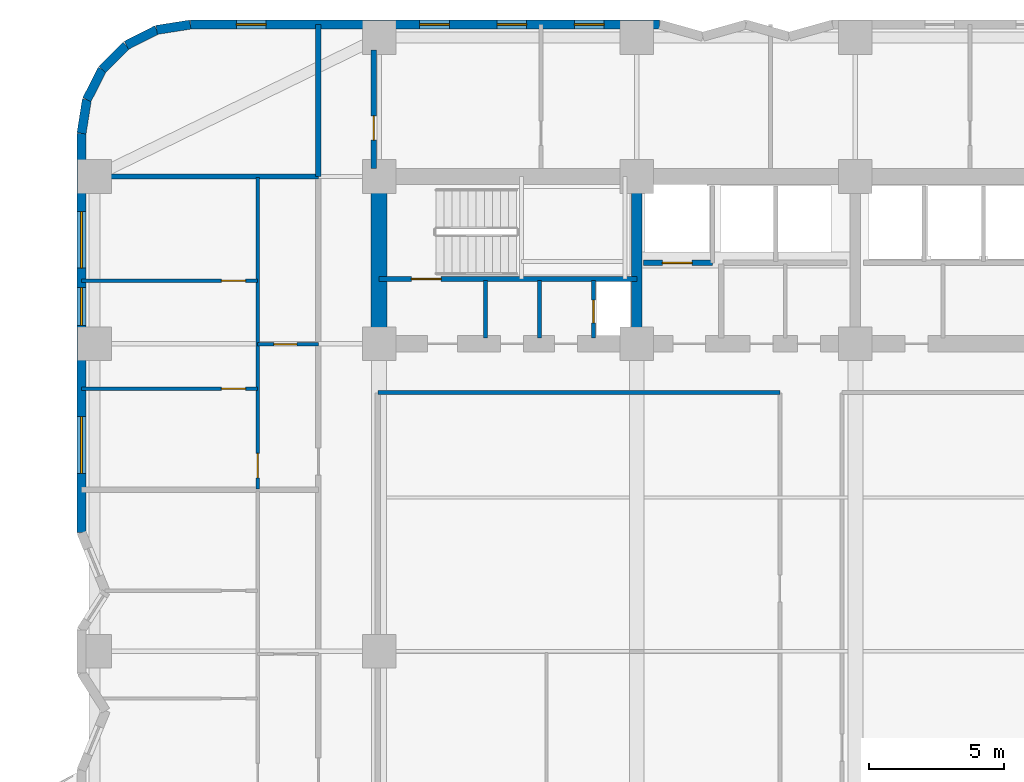
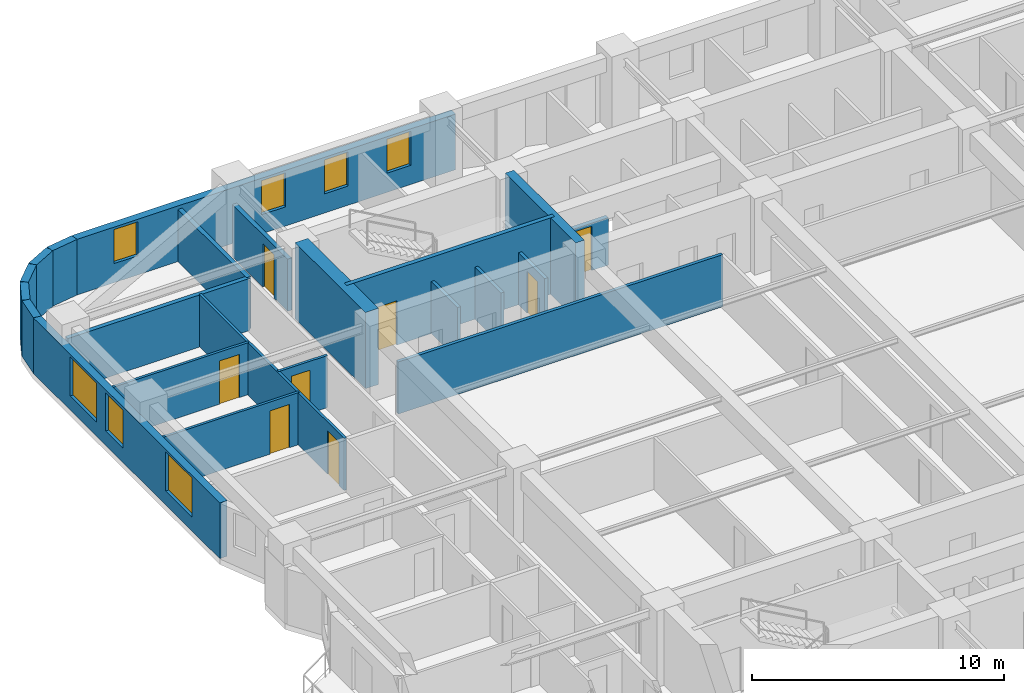
# One storey, part 6 of 10: 22 walls, 8 doors, 7 windows, 15 openings.
"""IFC4 building model written with IfcOpenShell, lengths in metres."""

from ifc_helpers import new_model, si_unit, direction, frame, frame_2d, origin, place, context, subcontext, project, spatial, rectangle, extrude, material, layer, layer_set, type_object, element, fill, save


model = new_model("IFC4")

# Units and contexts
model_context = context("Model", 3, precision=1e-05, world=origin(), true_north=direction((0.0, 1.0)))
body_context = subcontext(model_context, "Body", "Model", "MODEL_VIEW")
ifc_project = project(units=[si_unit("LENGTHUNIT", "METRE"), si_unit("AREAUNIT", "SQUARE_METRE"), si_unit("VOLUMEUNIT", "CUBIC_METRE"), si_unit("PLANEANGLEUNIT", "RADIAN"), si_unit("MASSUNIT", "GRAM", prefix="KILO")], contexts=[model_context])

# Site, building, storey
site_placement = place(None, origin())
site = spatial("IfcSite", under=ifc_project, at=site_placement, CompositionType="ELEMENT")
building_placement = place(site_placement, origin())
building = spatial("IfcBuilding", under=site, at=building_placement, Name="Svetorya Sky Lyceum", CompositionType="ELEMENT")
storey_placement = place(building_placement, frame((0.0, 0.0, 43.60009765625)))
storey = spatial("IfcBuildingStorey", under=building, at=storey_placement, Name="L10", CompositionType="ELEMENT", Elevation=43.60009765625)

# Walls
ifc_material_1 = material(Name="Concrete C40/50", Category="concrete")
ifc_layer_1 = layer(ifc_material_1, 0.39990234375)
ifc_layer_set_1 = layer_set([ifc_layer_1], Name="Concrete C40/50")
wall_type_1 = type_object("IfcWallType", Name="WL-CORE-400", PredefinedType="SHEAR", material=ifc_layer_set_1)
wall_1_placement = place(storey_placement, frame((35.14990234375, 39.89990234375, 0.0), z_axis=(0.0, 0.0, 1.0), x_axis=(0.0, 1.0, 0.0)))
element("IfcWall", 1, at=wall_1_placement, inside=storey, type_object=wall_type_1, Name="L10 NC Internal Shear Web WEB1", PredefinedType="SHEAR", context=body_context, shape_type="SweptSolid", body=[
    extrude(rectangle(XDim=5.60009765625, YDim=0.39990234375, at=frame_2d((2.800048828125, 0.0))), origin(), (0.0, 0.0, 1.0), 3.699951171875),
])
ifc_material_2 = material(Name="Concrete C60/75", Category="concrete")
ifc_layer_2 = layer(ifc_material_2, 0.60009765625)
ifc_layer_set_2 = layer_set([ifc_layer_2], Name="Concrete C60/75")
wall_type_2 = type_object("IfcWallType", Name="WL-CORE-600", PredefinedType="SHEAR", material=ifc_layer_set_2)
wall_2_placement = place(storey_placement, frame((25.60009765625, 39.89990234375, 0.0), z_axis=(0.0, 0.0, 1.0), x_axis=(0.0, 1.0, 0.0)))
element("IfcWall", 2, at=wall_2_placement, inside=storey, type_object=wall_type_2, Name="L10 NC West Core Shear Wall", PredefinedType="SHEAR", context=body_context, shape_type="SweptSolid", body=[
    extrude(rectangle(XDim=5.60009765625, YDim=0.60009765625, at=frame_2d((2.800048828125, 0.0))), origin(), (0.0, 0.0, 1.0), 3.699951171875),
])

# Wall, openings, windows
ifc_material_3 = material(Name="Putilovo limestone rainscreen on autoclaved cellular masonry", Category="masonry")
ifc_layer_3 = layer(ifc_material_3, 0.340087890625)
ifc_layer_set_3 = layer_set([ifc_layer_3], Name="Putilovo limestone rainscreen on autoclaved cellular masonry")
wall_type_3 = type_object("IfcWallType", Name="WL-EXT-340", PredefinedType="SOLIDWALL", material=ifc_layer_set_3)
wall_3_placement = place(storey_placement, frame((36.0, 51.429931640625, 0.0), z_axis=(0.0, 0.0, 1.0), x_axis=(-1.0, 0.0, 0.0)))
wall_3 = element("IfcWall", 3, at=wall_3_placement, inside=storey, type_object=wall_type_3, Name="L10 Limestone Exterior Wall 34M", PredefinedType="SOLIDWALL", context=body_context, shape_type="SweptSolid", body=[
    extrude(rectangle(XDim=17.39990234375, YDim=0.340087890625, at=frame_2d((8.699951171875, 0.0))), origin(), (0.0, 0.0, 1.0), 2.699951171875),
])
opening_1_placement = place(wall_3_placement, frame((2.06005859375, 0.0, 0.929931640625)))
opening_1 = element("IfcOpeningElement", 4, at=opening_1_placement, cuts=wall_3, Name="Opening W-R3", PredefinedType="OPENING", context=body_context, shape_type="SweptSolid", body=[
    extrude(rectangle(XDim=1.10009765625, YDim=1.64990234375, at=frame_2d((0.550048828125, 0.824951171875))), frame((0.0, 0.179931640625, 0.0), z_axis=(0.0, -1.0, 0.0), x_axis=(1.0, 0.0, 0.0)), (0.0, 0.0, 1.0), 0.360107421875),
])
opening_2_placement = place(wall_3_placement, frame((4.929931640625, 0.0, 0.929931640625)))
opening_2 = element("IfcOpeningElement", 5, at=opening_2_placement, cuts=wall_3, Name="Opening W-R3", PredefinedType="OPENING", context=body_context, shape_type="SweptSolid", body=[
    extrude(rectangle(XDim=1.10009765625, YDim=1.64990234375, at=frame_2d((0.550048828125, 0.824951171875))), frame((0.0, 0.179931640625, 0.0), z_axis=(0.0, -1.0, 0.0), x_axis=(1.0, 0.0, 0.0)), (0.0, 0.0, 1.0), 0.360107421875),
])
opening_3_placement = place(wall_3_placement, frame((7.800048828125, 0.0, 0.929931640625)))
opening_3 = element("IfcOpeningElement", 6, at=opening_3_placement, cuts=wall_3, Name="Opening W-R3", PredefinedType="OPENING", context=body_context, shape_type="SweptSolid", body=[
    extrude(rectangle(XDim=1.10009765625, YDim=1.64990234375, at=frame_2d((0.550048828125, 0.824951171875))), frame((0.0, 0.179931640625, 0.0), z_axis=(0.0, -1.0, 0.0), x_axis=(1.0, 0.0, 0.0)), (0.0, 0.0, 1.0), 0.360107421875),
])
opening_4_placement = place(wall_3_placement, frame((14.590087890625, 0.0, 0.929931640625)))
opening_4 = element("IfcOpeningElement", 7, at=opening_4_placement, cuts=wall_3, Name="Opening W-R3", PredefinedType="OPENING", context=body_context, shape_type="SweptSolid", body=[
    extrude(rectangle(XDim=1.10009765625, YDim=1.64990234375, at=frame_2d((0.550048828125, 0.824951171875))), frame((0.0, 0.179931640625, 0.0), z_axis=(0.0, -1.0, 0.0), x_axis=(1.0, 0.0, 0.0)), (0.0, 0.0, 1.0), 0.360107421875),
])
ifc_material_4 = material(Name="Thermally broken aluminium frame with triple low-E glazing", Category="aluminium")
window_type_1 = type_object("IfcWindowType", Name="WN-RES-110", PartitioningType="SINGLE_PANEL", PredefinedType="WINDOW", material=ifc_material_4)
window_1_placement = place(opening_1_placement, origin())
window_1 = element("IfcWindow", 8, at=window_1_placement, inside=storey, type_object=window_type_1, Name="L10 Facade Window W-R3.34M.1", OverallHeight=1.64990234375, OverallWidth=1.10009765625, PartitioningType="SINGLE_PANEL", PredefinedType="WINDOW", context=body_context, shape_type="SweptSolid", body=[
    extrude(rectangle(XDim=1.10009765625, YDim=1.64990234375, at=frame_2d((0.550048828125, 0.824951171875))), frame((0.0, 0.030029296875, 0.0), z_axis=(0.0, -1.0, 0.0), x_axis=(1.0, 0.0, 0.0)), (0.0, 0.0, 1.0), 0.06005859375),
])
fill(opening_1, window_1)
window_2_placement = place(opening_2_placement, origin())
window_2 = element("IfcWindow", 9, at=window_2_placement, inside=storey, type_object=window_type_1, Name="L10 Facade Window W-R3.34M.2", OverallHeight=1.64990234375, OverallWidth=1.10009765625, PartitioningType="SINGLE_PANEL", PredefinedType="WINDOW", context=body_context, shape_type="SweptSolid", body=[
    extrude(rectangle(XDim=1.10009765625, YDim=1.64990234375, at=frame_2d((0.550048828125, 0.824951171875))), frame((0.0, 0.030029296875, 0.0), z_axis=(0.0, -1.0, 0.0), x_axis=(1.0, 0.0, 0.0)), (0.0, 0.0, 1.0), 0.06005859375),
])
fill(opening_2, window_2)
window_3_placement = place(opening_3_placement, origin())
window_3 = element("IfcWindow", 10, at=window_3_placement, inside=storey, type_object=window_type_1, Name="L10 Facade Window W-R3.34M.3", OverallHeight=1.64990234375, OverallWidth=1.10009765625, PartitioningType="SINGLE_PANEL", PredefinedType="WINDOW", context=body_context, shape_type="SweptSolid", body=[
    extrude(rectangle(XDim=1.10009765625, YDim=1.64990234375, at=frame_2d((0.550048828125, 0.824951171875))), frame((0.0, 0.030029296875, 0.0), z_axis=(0.0, -1.0, 0.0), x_axis=(1.0, 0.0, 0.0)), (0.0, 0.0, 1.0), 0.06005859375),
])
fill(opening_3, window_3)
window_4_placement = place(opening_4_placement, origin())
window_4 = element("IfcWindow", 11, at=window_4_placement, inside=storey, type_object=window_type_1, Name="L10 Facade Window W-R3.34M.4", OverallHeight=1.64990234375, OverallWidth=1.10009765625, PartitioningType="SINGLE_PANEL", PredefinedType="WINDOW", context=body_context, shape_type="SweptSolid", body=[
    extrude(rectangle(XDim=1.10009765625, YDim=1.64990234375, at=frame_2d((0.550048828125, 0.824951171875))), frame((0.0, 0.030029296875, 0.0), z_axis=(0.0, -1.0, 0.0), x_axis=(1.0, 0.0, 0.0)), (0.0, 0.0, 1.0), 0.06005859375),
])
fill(opening_4, window_4)

# Walls
wall_4_placement = place(storey_placement, frame((18.60009765625, 51.429931640625, 0.0), z_axis=(0.0, 0.0, 1.0), x_axis=(-0.98771582066, -0.156260864002, 0.0)))
element("IfcWall", 12, at=wall_4_placement, inside=storey, type_object=wall_type_3, Name="L10 Limestone Exterior Wall 35M", PredefinedType="SOLIDWALL", context=body_context, shape_type="SweptSolid", body=[
    extrude(rectangle(XDim=1.2607421875, YDim=0.340087890625, at=frame_2d((0.63037109375, 0.0))), origin(), (0.0, 0.0, 1.0), 2.699951171875),
])
for number, where, z_axis, x_axis, name in (
    (13, (17.354736328125, 51.23291015625, 0.0), (0.0, 0.0, 1.0), (-0.890993689142, -0.454015689056, 0.0), "L10 Limestone Exterior Wall 36M"),
    (14, (16.231201171875, 50.660400390625, 0.0), (0.0, 0.0, 1.0), (-0.707106781187, -0.707106781187, 0.0), "L10 Limestone Exterior Wall 37M"),
    (15, (15.339599609375, 49.768798828125, 0.0), (0.0, 0.0, 1.0), (-0.454015689056, -0.890993689142, 0.0), "L10 Limestone Exterior Wall 38M"),
):
    element("IfcWall", number, at=place(storey_placement, frame(where, z_axis=z_axis, x_axis=x_axis)), inside=storey, type_object=wall_type_3, Name=name, PredefinedType="SOLIDWALL", context=body_context, shape_type="SweptSolid", body=[
        extrude(rectangle(XDim=1.260986328125, YDim=0.340087890625, at=frame_2d((0.63037109375, 0.0))), origin(), (0.0, 0.0, 1.0), 2.699951171875),
    ])
wall_5_placement = place(storey_placement, frame((14.76708984375, 48.645263671875, 0.0), z_axis=(0.0, 0.0, 1.0), x_axis=(-0.156260864002, -0.98771582066, 0.0)))
element("IfcWall", 16, at=wall_5_placement, inside=storey, type_object=wall_type_3, Name="L10 Limestone Exterior Wall 39M", PredefinedType="SOLIDWALL", context=body_context, shape_type="SweptSolid", body=[
    extrude(rectangle(XDim=1.2607421875, YDim=0.340087890625, at=frame_2d((0.63037109375, 0.0))), origin(), (0.0, 0.0, 1.0), 2.699951171875),
])

# Wall, openings, windows
wall_6_placement = place(storey_placement, frame((14.570068359375, 47.39990234375, 0.0), z_axis=(0.0, 0.0, 1.0), x_axis=(0.0, -1.0, 0.0)))
wall_6 = element("IfcWall", 17, at=wall_6_placement, inside=storey, type_object=wall_type_3, Name="L10 Limestone Exterior Wall 40M", PredefinedType="SOLIDWALL", context=body_context, shape_type="SweptSolid", body=[
    extrude(rectangle(XDim=14.7998046875, YDim=0.340087890625, at=frame_2d((7.39990234375, 0.0))), origin(), (0.0, 0.0, 1.0), 2.699951171875),
])
opening_5_placement = place(wall_6_placement, frame((2.89990234375, 0.0, 0.679931640625)))
opening_5 = element("IfcOpeningElement", 18, at=opening_5_placement, cuts=wall_6, Name="Opening W-R0", PredefinedType="OPENING", context=body_context, shape_type="SweptSolid", body=[
    extrude(rectangle(XDim=2.10009765625, YDim=1.89990234375, at=frame_2d((1.050048828125, 0.949951171875))), frame((0.0, 0.179931640625, 0.0), z_axis=(0.0, -1.0, 0.0), x_axis=(1.0, 0.0, 0.0)), (0.0, 0.0, 1.0), 0.360107421875),
])
opening_6_placement = place(wall_6_placement, frame((5.719970703125, 0.0, 0.68994140625)))
opening_6 = element("IfcOpeningElement", 19, at=opening_6_placement, cuts=wall_6, Name="Opening W-R2", PredefinedType="OPENING", context=body_context, shape_type="SweptSolid", body=[
    extrude(rectangle(XDim=1.39990234375, YDim=1.85009765625, at=frame_2d((0.699951171875, 0.925048828125))), frame((0.0, 0.179931640625, 0.0), z_axis=(0.0, -1.0, 0.0), x_axis=(1.0, 0.0, 0.0)), (0.0, 0.0, 1.0), 0.360107421875),
])
opening_7_placement = place(wall_6_placement, frame((10.5, 0.0, 0.679931640625)))
opening_7 = element("IfcOpeningElement", 20, at=opening_7_placement, cuts=wall_6, Name="Opening W-R0", PredefinedType="OPENING", context=body_context, shape_type="SweptSolid", body=[
    extrude(rectangle(XDim=2.10009765625, YDim=1.89990234375, at=frame_2d((1.050048828125, 0.949951171875))), frame((0.0, 0.179931640625, 0.0), z_axis=(0.0, -1.0, 0.0), x_axis=(1.0, 0.0, 0.0)), (0.0, 0.0, 1.0), 0.360107421875),
])
window_type_2 = type_object("IfcWindowType", Name="WN-RES-140", PartitioningType="SINGLE_PANEL", PredefinedType="WINDOW", material=ifc_material_4)
window_5_placement = place(opening_6_placement, origin())
window_5 = element("IfcWindow", 21, at=window_5_placement, inside=storey, type_object=window_type_2, Name="L10 Facade Window W-R2.40M.3", OverallHeight=1.85009765625, OverallWidth=1.39990234375, PartitioningType="SINGLE_PANEL", PredefinedType="WINDOW", context=body_context, shape_type="SweptSolid", body=[
    extrude(rectangle(XDim=1.39990234375, YDim=1.85009765625, at=frame_2d((0.699951171875, 0.925048828125))), frame((0.0, 0.030029296875, 0.0), z_axis=(0.0, -1.0, 0.0), x_axis=(1.0, 0.0, 0.0)), (0.0, 0.0, 1.0), 0.06005859375),
])
fill(opening_6, window_5)
window_type_3 = type_object("IfcWindowType", Name="WN-RES-210", PartitioningType="TRIPLE_PANEL_VERTICAL", PredefinedType="WINDOW", material=ifc_material_4)
window_6_placement = place(opening_5_placement, origin())
window_6 = element("IfcWindow", 22, at=window_6_placement, inside=storey, type_object=window_type_3, Name="L10 Facade Window W-R0.40M.1", OverallHeight=1.89990234375, OverallWidth=2.10009765625, PartitioningType="SINGLE_PANEL", PredefinedType="WINDOW", context=body_context, shape_type="SweptSolid", body=[
    extrude(rectangle(XDim=2.10009765625, YDim=1.89990234375, at=frame_2d((1.050048828125, 0.949951171875))), frame((0.0, 0.030029296875, 0.0), z_axis=(0.0, -1.0, 0.0), x_axis=(1.0, 0.0, 0.0)), (0.0, 0.0, 1.0), 0.06005859375),
])
fill(opening_5, window_6)
window_7_placement = place(opening_7_placement, origin())
window_7 = element("IfcWindow", 23, at=window_7_placement, inside=storey, type_object=window_type_3, Name="L10 Facade Window W-R0.40M.2", OverallHeight=1.89990234375, OverallWidth=2.10009765625, PartitioningType="SINGLE_PANEL", PredefinedType="WINDOW", context=body_context, shape_type="SweptSolid", body=[
    extrude(rectangle(XDim=2.10009765625, YDim=1.89990234375, at=frame_2d((1.050048828125, 0.949951171875))), frame((0.0, 0.030029296875, 0.0), z_axis=(0.0, -1.0, 0.0), x_axis=(1.0, 0.0, 0.0)), (0.0, 0.0, 1.0), 0.06005859375),
])
fill(opening_7, window_7)

# Wall, opening, door
ifc_material_5 = material(Name="Twin-stud galvanized framing with double fireboard", Category="gypsum")
ifc_layer_4 = layer(ifc_material_5, 0.1201171875)
ifc_layer_set_4 = layer_set([ifc_layer_4], Name="Twin-stud galvanized framing with double fireboard")
wall_type_4 = type_object("IfcWallType", Name="WL-PART-120", PredefinedType="PARTITIONING", material=ifc_layer_set_4)
wall_7_placement = place(storey_placement, frame((21.10009765625, 39.583984375, 0.0), z_axis=(0.0, 0.0, 1.0), x_axis=(1.0, 0.0, 0.0)))
wall_7 = element("IfcWall", 24, at=wall_7_placement, inside=storey, type_object=wall_type_4, Name="L10 Interior Partition W3-WH1", PredefinedType="PARTITIONING", context=body_context, shape_type="SweptSolid", body=[
    extrude(rectangle(XDim=2.25, YDim=0.1201171875, at=frame_2d((1.125, 0.0))), origin(), (0.0, 0.0, 1.0), 2.52978515625),
])
opening_8_placement = place(wall_7_placement, frame((0.60009765625, 0.0, 0.0)))
opening_8 = element("IfcOpeningElement", 25, at=opening_8_placement, cuts=wall_7, Name="Opening D-BT1", PredefinedType="OPENING", context=body_context, shape_type="SweptSolid", body=[
    extrude(rectangle(XDim=0.85009765625, YDim=2.10009765625, at=frame_2d((0.425048828125, 1.050048828125))), frame((0.0, 0.070068359375, 0.0), z_axis=(0.0, -1.0, 0.0), x_axis=(1.0, 0.0, 0.0)), (0.0, 0.0, 1.0), 0.14013671875),
])
ifc_material_6 = material(Name="Moisture-resistant laminate bathroom door")
door_type_1 = type_object("IfcDoorType", Name="DR-WET-850", OperationType="SINGLE_SWING_LEFT", PredefinedType="DOOR", material=ifc_material_6)
door_1_placement = place(opening_8_placement, origin())
door_1 = element("IfcDoor", 26, at=door_1_placement, inside=storey, type_object=door_type_1, Name="Apartment W3 Bathroom Door", OperationType="SINGLE_SWING_LEFT", OverallHeight=2.10009765625, OverallWidth=0.85009765625, PredefinedType="DOOR", context=body_context, shape_type="SweptSolid", body=[
    extrude(rectangle(XDim=0.85009765625, YDim=2.10009765625, at=frame_2d((0.425048828125, 1.050048828125))), frame((0.0, 0.02490234375, 0.0), z_axis=(0.0, -1.0, 0.0), x_axis=(1.0, 0.0, 0.0)), (0.0, 0.0, 1.0), 0.050048828125),
])
fill(opening_8, door_1)

wall_8_placement = place(storey_placement, frame((14.570068359375, 37.93408203125, 0.0), z_axis=(0.0, 0.0, 1.0), x_axis=(1.0, 0.0, 0.0)))
wall_8 = element("IfcWall", 27, at=wall_8_placement, inside=storey, type_object=wall_type_4, Name="L10 Interior Partition W3-WL1", PredefinedType="PARTITIONING", context=body_context, shape_type="SweptSolid", body=[
    extrude(rectangle(XDim=6.530029296875, YDim=0.1201171875, at=frame_2d((3.26513671875, 0.0))), origin(), (0.0, 0.0, 1.0), 2.52978515625),
])
opening_9_placement = place(wall_8_placement, frame((5.179931640625, 0.0, 0.0)))
opening_9 = element("IfcOpeningElement", 28, at=opening_9_placement, cuts=wall_8, Name="Opening D-RM1", PredefinedType="OPENING", context=body_context, shape_type="SweptSolid", body=[
    extrude(rectangle(XDim=0.89990234375, YDim=2.10009765625, at=frame_2d((0.449951171875, 1.050048828125))), frame((0.0, 0.070068359375, 0.0), z_axis=(0.0, -1.0, 0.0), x_axis=(1.0, 0.0, 0.0)), (0.0, 0.0, 1.0), 0.14013671875),
])
ifc_material_7 = material(Name="Lacquered birch veneer internal door")
door_type_2 = type_object("IfcDoorType", Name="DR-INT-900", OperationType="SINGLE_SWING_LEFT", PredefinedType="DOOR", material=ifc_material_7)
door_2_placement = place(opening_9_placement, origin())
door_2 = element("IfcDoor", 29, at=door_2_placement, inside=storey, type_object=door_type_2, Name="Apartment W3 Master Bedroom Door", OperationType="SINGLE_SWING_LEFT", OverallHeight=2.10009765625, OverallWidth=0.89990234375, PredefinedType="DOOR", context=body_context, shape_type="SweptSolid", body=[
    extrude(rectangle(XDim=0.89990234375, YDim=2.10009765625, at=frame_2d((0.449951171875, 1.050048828125))), frame((0.0, 0.02490234375, 0.0), z_axis=(0.0, -1.0, 0.0), x_axis=(1.0, 0.0, 0.0)), (0.0, 0.0, 1.0), 0.050048828125),
])
fill(opening_9, door_2)

wall_9_placement = place(storey_placement, frame((14.570068359375, 41.93408203125, 0.0), z_axis=(0.0, 0.0, 1.0), x_axis=(1.0, 0.0, 0.0)))
wall_9 = element("IfcWall", 30, at=wall_9_placement, inside=storey, type_object=wall_type_4, Name="L10 Interior Partition W3-WL2", PredefinedType="PARTITIONING", context=body_context, shape_type="SweptSolid", body=[
    extrude(rectangle(XDim=6.530029296875, YDim=0.1201171875, at=frame_2d((3.26513671875, 0.0))), origin(), (0.0, 0.0, 1.0), 2.52978515625),
])
opening_10_placement = place(wall_9_placement, frame((5.179931640625, 0.0, 0.0)))
opening_10 = element("IfcOpeningElement", 31, at=opening_10_placement, cuts=wall_9, Name="Opening D-RM1", PredefinedType="OPENING", context=body_context, shape_type="SweptSolid", body=[
    extrude(rectangle(XDim=0.89990234375, YDim=2.10009765625, at=frame_2d((0.449951171875, 1.050048828125))), frame((0.0, 0.070068359375, 0.0), z_axis=(0.0, -1.0, 0.0), x_axis=(1.0, 0.0, 0.0)), (0.0, 0.0, 1.0), 0.14013671875),
])
door_3_placement = place(opening_10_placement, origin())
door_3 = element("IfcDoor", 32, at=door_3_placement, inside=storey, type_object=door_type_2, Name="Apartment W3 Bedroom 2 Door", OperationType="SINGLE_SWING_RIGHT", OverallHeight=2.10009765625, OverallWidth=0.89990234375, PredefinedType="DOOR", context=body_context, shape_type="SweptSolid", body=[
    extrude(rectangle(XDim=0.89990234375, YDim=2.10009765625, at=frame_2d((0.449951171875, 1.050048828125))), frame((0.0, 0.02490234375, 0.0), z_axis=(0.0, -1.0, 0.0), x_axis=(1.0, 0.0, 0.0)), (0.0, 0.0, 1.0), 0.050048828125),
])
fill(opening_10, door_3)

wall_10_placement = place(storey_placement, frame((21.10009765625, 34.22412109375, 0.0), z_axis=(0.0, 0.0, 1.0), x_axis=(0.0, 1.0, 0.0)))
wall_10 = element("IfcWall", 33, at=wall_10_placement, inside=storey, type_object=wall_type_4, Name="L10 Interior Partition W3-WV", PredefinedType="PARTITIONING", context=body_context, shape_type="SweptSolid", body=[
    extrude(rectangle(XDim=11.535888671875, YDim=0.1201171875, at=frame_2d((5.76806640625, 0.0))), origin(), (0.0, 0.0, 1.0), 2.52978515625),
])
opening_11_placement = place(wall_10_placement, frame((0.409912109375, 0.0, 0.0)))
opening_11 = element("IfcOpeningElement", 34, at=opening_11_placement, cuts=wall_10, Name="Opening D-RM1", PredefinedType="OPENING", context=body_context, shape_type="SweptSolid", body=[
    extrude(rectangle(XDim=0.89990234375, YDim=2.10009765625, at=frame_2d((0.449951171875, 1.050048828125))), frame((0.0, 0.070068359375, 0.0), z_axis=(0.0, -1.0, 0.0), x_axis=(1.0, 0.0, 0.0)), (0.0, 0.0, 1.0), 0.14013671875),
])
door_4_placement = place(opening_11_placement, origin())
door_4 = element("IfcDoor", 35, at=door_4_placement, inside=storey, type_object=door_type_2, Name="Apartment W3 Living Door", OperationType="SINGLE_SWING_RIGHT", OverallHeight=2.10009765625, OverallWidth=0.89990234375, PredefinedType="DOOR", context=body_context, shape_type="SweptSolid", body=[
    extrude(rectangle(XDim=0.89990234375, YDim=2.10009765625, at=frame_2d((0.449951171875, 1.050048828125))), frame((0.0, 0.02490234375, 0.0), z_axis=(0.0, -1.0, 0.0), x_axis=(1.0, 0.0, 0.0)), (0.0, 0.0, 1.0), 0.050048828125),
])
fill(opening_11, door_4)

ifc_material_8 = material(Name="Autoclaved cellular masonry blockwork with acoustic render", Category="masonry")
ifc_layer_5 = layer(ifc_material_8, 0.14990234375)
ifc_layer_set_5 = layer_set([ifc_layer_5], Name="Autoclaved cellular masonry blockwork with acoustic render")
wall_type_5 = type_object("IfcWallType", Name="WL-PART-150", PredefinedType="PARTITIONING", material=ifc_layer_set_5)
wall_11_placement = place(storey_placement, frame((33.550048828125, 39.820068359375, 0.0), z_axis=(0.0, 0.0, 1.0), x_axis=(0.0, 1.0, 0.0)))
wall_11 = element("IfcWall", 36, at=wall_11_placement, inside=storey, type_object=wall_type_5, Name="L10 Interior Partition NC-RSRW", PredefinedType="PARTITIONING", context=body_context, shape_type="SweptSolid", body=[
    extrude(rectangle(XDim=2.1298828125, YDim=0.14990234375, at=frame_2d((1.06494140625, 0.0))), origin(), (0.0, 0.0, 1.0), 2.52978515625),
])
opening_12_placement = place(wall_11_placement, frame((0.550048828125, 0.0, 0.0)))
opening_12 = element("IfcOpeningElement", 37, at=opening_12_placement, cuts=wall_11, Name="Opening D-SH1", PredefinedType="OPENING", context=body_context, shape_type="SweptSolid", body=[
    extrude(rectangle(XDim=0.85009765625, YDim=2.050048828125, at=frame_2d((0.425048828125, 1.02490234375))), frame((0.0, 0.0849609375, 0.0), z_axis=(0.0, -1.0, 0.0), x_axis=(1.0, 0.0, 0.0)), (0.0, 0.0, 1.0), 0.169921875),
])
ifc_material_9 = material(Name="Insulated galvanized riser inspection fire door")
door_type_3 = type_object("IfcDoorType", Name="DR-SHFT-850", OperationType="SINGLE_SWING_LEFT", PredefinedType="TRAPDOOR", material=ifc_material_9)
door_5_placement = place(opening_12_placement, origin())
door_5 = element("IfcDoor", 38, at=door_5_placement, inside=storey, type_object=door_type_3, Name="L10 North Riser Access Door", OperationType="SINGLE_SWING_LEFT", OverallHeight=2.050048828125, OverallWidth=0.85009765625, PredefinedType="TRAPDOOR", context=body_context, shape_type="SweptSolid", body=[
    extrude(rectangle(XDim=0.85009765625, YDim=2.050048828125, at=frame_2d((0.425048828125, 1.02490234375))), frame((0.0, 0.02490234375, 0.0), z_axis=(0.0, -1.0, 0.0), x_axis=(1.0, 0.0, 0.0)), (0.0, 0.0, 1.0), 0.050048828125),
])
fill(opening_12, door_5)

# Walls
for number, where, z_axis, x_axis, name in (
    (39, (29.550048828125, 39.820068359375, 0.0), (0.0, 0.0, 1.0), (0.0, 1.0, 0.0), "L10 Interior Partition NC-NWD1"),
    (40, (31.550048828125, 39.820068359375, 0.0), (0.0, 0.0, 1.0), (0.0, 1.0, 0.0), "L10 Interior Partition NC-NWD2"),
):
    element("IfcWall", number, at=place(storey_placement, frame(where, z_axis=z_axis, x_axis=x_axis)), inside=storey, type_object=wall_type_5, Name=name, PredefinedType="PARTITIONING", context=body_context, shape_type="SweptSolid", body=[
        extrude(rectangle(XDim=2.1298828125, YDim=0.14990234375, at=frame_2d((1.06494140625, 0.0))), origin(), (0.0, 0.0, 1.0), 2.52978515625),
    ])
wall_12_placement = place(storey_placement, frame((25.550048828125, 37.800048828125, 0.0), z_axis=(0.0, 0.0, 1.0), x_axis=(1.0, 0.0, 0.0)))
element("IfcWall", 41, at=wall_12_placement, inside=storey, type_object=wall_type_5, Name="L10 Interior Partition CN-MID-W", PredefinedType="PARTITIONING", context=body_context, shape_type="SweptSolid", body=[
    extrude(rectangle(XDim=14.89990234375, YDim=0.14990234375, at=frame_2d((7.449951171875, 0.0))), origin(), (0.0, 0.0, 1.0), 2.52978515625),
])

# Wall, opening, door
ifc_material_10 = material(Name="Autoclaved cellular masonry blockwork with gypsum plaster", Category="masonry")
ifc_layer_6 = layer(ifc_material_10, 0.199951171875)
ifc_layer_set_6 = layer_set([ifc_layer_6], Name="Autoclaved cellular masonry blockwork with gypsum plaster")
wall_type_6 = type_object("IfcWallType", Name="WL-PART-200", PredefinedType="PARTITIONING", material=ifc_layer_set_6)
wall_13_placement = place(storey_placement, frame((37.949951171875, 42.60009765625, 0.0), z_axis=(0.0, 0.0, 1.0), x_axis=(-1.0, 0.0, 0.0)))
wall_13 = element("IfcWall", 42, at=wall_13_placement, inside=storey, type_object=wall_type_6, Name="L10 Interior Partition NC-FL1W", PredefinedType="PARTITIONING", context=body_context, shape_type="SweptSolid", body=[
    extrude(rectangle(XDim=2.550048828125, YDim=0.199951171875, at=frame_2d((1.27490234375, 0.0))), origin(), (0.0, 0.0, 1.0), 2.2998046875),
])
opening_13_placement = place(wall_13_placement, frame((0.75, 0.0, 0.0)))
opening_13 = element("IfcOpeningElement", 43, at=opening_13_placement, cuts=wall_13, Name="Opening LD-FL", PredefinedType="OPENING", context=body_context, shape_type="SweptSolid", body=[
    extrude(rectangle(XDim=1.10009765625, YDim=2.14990234375, at=frame_2d((0.550048828125, 1.074951171875))), frame((0.0, 0.10986328125, 0.0), z_axis=(0.0, -1.0, 0.0), x_axis=(1.0, 0.0, 0.0)), (0.0, 0.0, 1.0), 0.219970703125),
])
ifc_material_11 = material(Name="Fire-rated stainless AISI 304 firefighting lift landing door")
door_type_4 = type_object("IfcDoorType", Name="DR-LIFT-1100", OperationType="SLIDING_TO_LEFT", PredefinedType="DOOR", material=ifc_material_11)
door_6_placement = place(opening_13_placement, origin())
door_6 = element("IfcDoor", 44, at=door_6_placement, inside=storey, type_object=door_type_4, Name="L10 Firefighting Lift FL1 Landing Door", OperationType="SLIDING_TO_LEFT", OverallHeight=2.14990234375, OverallWidth=1.10009765625, PredefinedType="DOOR", context=body_context, shape_type="SweptSolid", body=[
    extrude(rectangle(XDim=1.10009765625, YDim=2.14990234375, at=frame_2d((0.550048828125, 1.074951171875))), frame((0.0, 0.02490234375, 0.0), z_axis=(0.0, -1.0, 0.0), x_axis=(1.0, 0.0, 0.0)), (0.0, 0.0, 1.0), 0.050048828125),
])
fill(opening_13, door_6)

# Walls
wall_14_placement = place(storey_placement, frame((14.989990234375, 45.800048828125, 0.0), z_axis=(0.0, 0.0, 1.0), x_axis=(1.0, 0.0, 0.0)))
element("IfcWall", 45, at=wall_14_placement, inside=storey, type_object=wall_type_6, Name="L10 Interior Partition W-CAP-N", PredefinedType="PARTITIONING", context=body_context, shape_type="SweptSolid", body=[
    extrude(rectangle(XDim=8.360107421875, YDim=0.199951171875, at=frame_2d((4.18017578125, 0.0))), origin(), (0.0, 0.0, 1.0), 2.52978515625),
])
wall_15_placement = place(storey_placement, frame((23.35009765625, 45.800048828125, 0.0), z_axis=(0.0, 0.0, 1.0), x_axis=(0.0, 1.0, 0.0)))
element("IfcWall", 46, at=wall_15_placement, inside=storey, type_object=wall_type_6, Name="L10 Interior Partition WC-NW-END", PredefinedType="PARTITIONING", context=body_context, shape_type="SweptSolid", body=[
    extrude(rectangle(XDim=5.6298828125, YDim=0.199951171875, at=frame_2d((2.81494140625, 0.0))), origin(), (0.0, 0.0, 1.0), 2.52978515625),
])

# Wall, opening, door
wall_16_placement = place(storey_placement, frame((25.39990234375, 46.10009765625, 0.0), z_axis=(0.0, 0.0, 1.0), x_axis=(0.0, 1.0, 0.0)))
wall_16 = element("IfcWall", 47, at=wall_16_placement, inside=storey, type_object=wall_type_6, Name="L10 Interior Partition N4-EW", PredefinedType="PARTITIONING", context=body_context, shape_type="SweptSolid", body=[
    extrude(rectangle(XDim=4.3798828125, YDim=0.199951171875, at=frame_2d((2.18994140625, 0.0))), origin(), (0.0, 0.0, 1.0), 2.52978515625),
])
opening_14_placement = place(wall_16_placement, frame((1.050048828125, 0.0, 0.0)))
opening_14 = element("IfcOpeningElement", 48, at=opening_14_placement, cuts=wall_16, Name="Opening D-RM1", PredefinedType="OPENING", context=body_context, shape_type="SweptSolid", body=[
    extrude(rectangle(XDim=0.89990234375, YDim=2.10009765625, at=frame_2d((0.449951171875, 1.050048828125))), frame((0.0, 0.10986328125, 0.0), z_axis=(0.0, -1.0, 0.0), x_axis=(1.0, 0.0, 0.0)), (0.0, 0.0, 1.0), 0.219970703125),
])
door_7_placement = place(opening_14_placement, origin())
door_7 = element("IfcDoor", 49, at=door_7_placement, inside=storey, type_object=door_type_2, Name="L10 NW Study Door", OperationType="SINGLE_SWING_RIGHT", OverallHeight=2.10009765625, OverallWidth=0.89990234375, PredefinedType="DOOR", context=body_context, shape_type="SweptSolid", body=[
    extrude(rectangle(XDim=0.89990234375, YDim=2.10009765625, at=frame_2d((0.449951171875, 1.050048828125))), frame((0.0, 0.02490234375, 0.0), z_axis=(0.0, -1.0, 0.0), x_axis=(1.0, 0.0, 0.0)), (0.0, 0.0, 1.0), 0.050048828125),
])
fill(opening_14, door_7)

ifc_material_12 = material(Name="Concrete C50/60", Category="concrete")
ifc_layer_7 = layer(ifc_material_12, 0.199951171875)
ifc_layer_set_7 = layer_set([ifc_layer_7], Name="Concrete C50/60")
wall_type_7 = type_object("IfcWallType", Name="WL-SHW-200", PredefinedType="SHEAR", material=ifc_layer_set_7)
wall_17_placement = place(storey_placement, frame((35.14990234375, 42.0, 0.0), z_axis=(0.0, 0.0, 1.0), x_axis=(-1.0, 0.0, 0.0)))
wall_17 = element("IfcWall", 50, at=wall_17_placement, inside=storey, type_object=wall_type_7, Name="L10 Structural Stair Shaft Wall NC-STW", PredefinedType="SHEAR", context=body_context, shape_type="SweptSolid", body=[
    extrude(rectangle(XDim=9.5498046875, YDim=0.199951171875, at=frame_2d((4.77490234375, 0.0))), origin(), (0.0, 0.0, 1.0), 3.699951171875),
])
opening_15_placement = place(wall_17_placement, frame((7.25, 0.0, 0.0)))
opening_15 = element("IfcOpeningElement", 51, at=opening_15_placement, cuts=wall_17, Name="Opening D-ST1", PredefinedType="OPENING", context=body_context, shape_type="SweptSolid", body=[
    extrude(rectangle(XDim=1.10009765625, YDim=2.14990234375, at=frame_2d((0.550048828125, 1.074951171875))), frame((0.0, 0.10986328125, 0.0), z_axis=(0.0, -1.0, 0.0), x_axis=(1.0, 0.0, 0.0)), (0.0, 0.0, 1.0), 0.219970703125),
])
ifc_material_13 = material(Name="Powder-coated insulated galvanized stair fire door")
door_type_5 = type_object("IfcDoorType", Name="DR-FIRE-1100", OperationType="SINGLE_SWING_LEFT", PredefinedType="DOOR", material=ifc_material_13)
door_8_placement = place(opening_15_placement, origin())
door_8 = element("IfcDoor", 52, at=door_8_placement, inside=storey, type_object=door_type_5, Name="L10 Stair ST-N Vestibule Fire Door", OperationType="SINGLE_SWING_RIGHT", OverallHeight=2.14990234375, OverallWidth=1.10009765625, PredefinedType="DOOR", context=body_context, shape_type="SweptSolid", body=[
    extrude(rectangle(XDim=1.10009765625, YDim=2.14990234375, at=frame_2d((0.550048828125, 1.074951171875))), frame((0.0, 0.02490234375, 0.0), z_axis=(0.0, -1.0, 0.0), x_axis=(1.0, 0.0, 0.0)), (0.0, 0.0, 1.0), 0.050048828125),
])
fill(opening_15, door_8)

save(model, "model.ifc")
